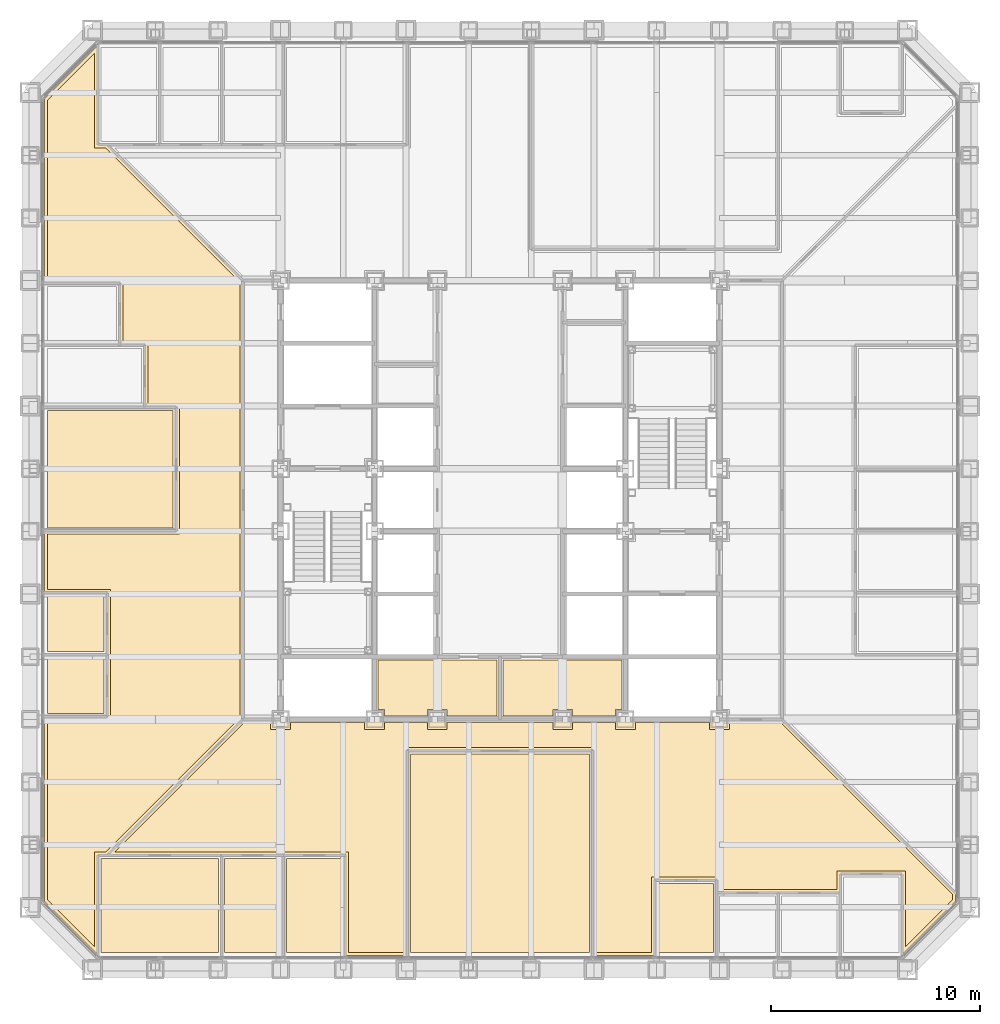
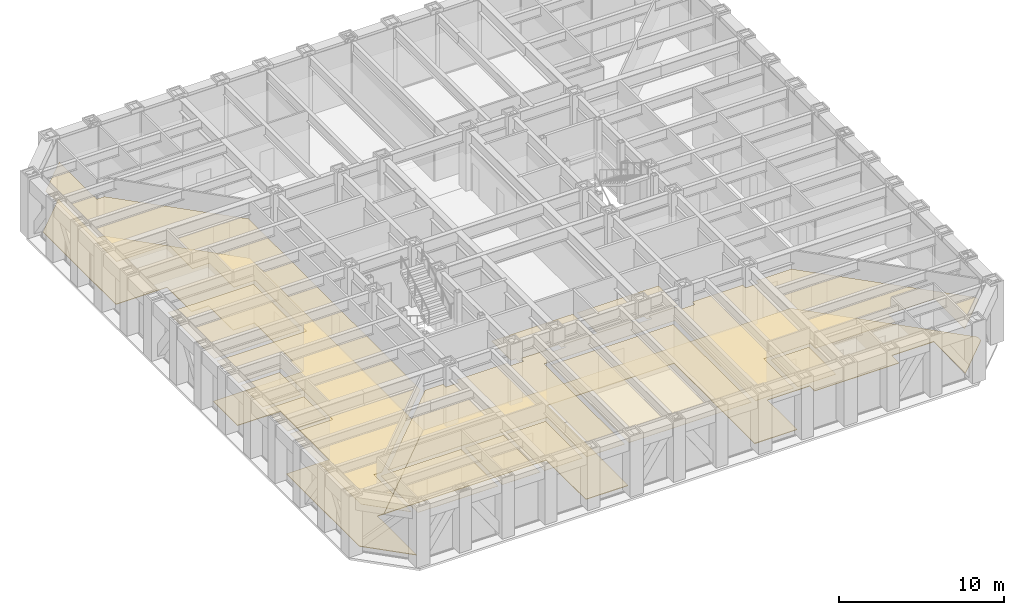
# One storey, part 14 of 17: 14 coverings.
"""IFC4 building model written with IfcOpenShell, lengths in metres."""

from ifc_helpers import new_model, si_unit, direction, frame, origin, place, context, subcontext, project, spatial, polyline, outline, extrude, material, layer, layer_set, type_object, element, save


model = new_model("IFC4")

# Units and contexts
model_context = context("Model", 3, precision=1e-05, world=origin(), true_north=direction((0.0, 1.0)))
body_context = subcontext(model_context, "Body", "Model", "MODEL_VIEW")
ifc_project = project(units=[si_unit("LENGTHUNIT", "METRE"), si_unit("AREAUNIT", "SQUARE_METRE"), si_unit("VOLUMEUNIT", "CUBIC_METRE"), si_unit("PLANEANGLEUNIT", "RADIAN"), si_unit("MASSUNIT", "GRAM", prefix="KILO")], contexts=[model_context])

# Site, building, storey
site_placement = place(None, origin())
site = spatial("IfcSite", under=ifc_project, at=site_placement, CompositionType="ELEMENT")
building_placement = place(site_placement, origin())
building = spatial("IfcBuilding", under=site, at=building_placement, Name="Chuquiago Exchange Tower", CompositionType="ELEMENT")
storey_placement = place(building_placement, frame((0.0, 0.0, 91.800048828125)))
storey = spatial("IfcBuildingStorey", under=building, at=storey_placement, Name="L19", CompositionType="ELEMENT", Elevation=91.800048828125)

# Coverings
ifc_material_1 = material(Name="Mineral fibre tile, 600 x 600, on pale metal grid", Category="mineral fibre")
ifc_layer_1 = layer(ifc_material_1, 0.02001953125)
ifc_layer_set_1 = layer_set([ifc_layer_1], Name="CL1 suspended tile ceiling 20")
covering_type_1 = type_object("IfcCoveringType", Name="CL1 suspended tile ceiling 20", PredefinedType="CEILING", material=ifc_layer_set_1)
covering_1_placement = place(storey_placement, frame((0.0, 0.0, 3.0)))
element("IfcCovering", 1, at=covering_1_placement, inside=storey, type_object=covering_type_1, Name="Ceiling Meeting room", PredefinedType="CEILING", context=body_context, shape_type="SweptSolid", body=[
    extrude(outline(polyline([(3.3984375, 5.35009765625), (9.022216796875, 5.35009765625), (9.022216796875, 0.85009765625), (3.3984375, 0.85009765625), (3.3984375, 5.35009765625)])), origin(), (0.0, 0.0, 1.0), 0.02001953125),
])
covering_2_placement = place(storey_placement, frame((0.0, 0.0, 3.0)))
element("IfcCovering", 2, at=covering_2_placement, inside=storey, type_object=covering_type_1, Name="Ceiling Office", PredefinedType="CEILING", context=body_context, shape_type="SweptSolid", body=[
    extrude(outline(polyline([(9.322021484375, 5.35009765625), (11.98388671875, 5.35009765625), (11.98388671875, 0.85009765625), (9.322021484375, 0.85009765625), (9.322021484375, 5.35009765625)])), origin(), (0.0, 0.0, 1.0), 0.02001953125),
])
covering_3_placement = place(storey_placement, frame((0.0, 0.0, 3.0)))
element("IfcCovering", 3, at=covering_3_placement, inside=storey, type_object=covering_type_1, Name="Ceiling Office", PredefinedType="CEILING", context=body_context, shape_type="SweptSolid", body=[
    extrude(outline(polyline([(12.28369140625, 5.35009765625), (14.945556640625, 5.35009765625), (14.945556640625, 0.85009765625), (12.28369140625, 0.85009765625), (12.28369140625, 5.35009765625)])), origin(), (0.0, 0.0, 1.0), 0.02001953125),
])
covering_4_placement = place(storey_placement, frame((0.0, 0.0, 3.0)))
element("IfcCovering", 4, at=covering_4_placement, inside=storey, type_object=covering_type_1, Name="Ceiling Trading room", PredefinedType="CEILING", context=body_context, shape_type="SweptSolid", body=[
    extrude(outline(polyline([(18.20751953125, 10.35009765625), (26.79248046875, 10.35009765625), (26.79248046875, 0.85009765625), (18.20751953125, 0.85009765625), (18.20751953125, 10.35009765625)])), origin(), (0.0, 0.0, 1.0), 0.02001953125),
])
covering_5_placement = place(storey_placement, frame((0.0, 0.0, 3.0)))
element("IfcCovering", 5, at=covering_5_placement, inside=storey, type_object=covering_type_1, Name="Ceiling Pantry", PredefinedType="CEILING", context=body_context, shape_type="SweptSolid", body=[
    extrude(outline(polyline([(30.054443359375, 4.14990234375), (32.71630859375, 4.14990234375), (32.71630859375, 0.85009765625), (30.054443359375, 0.85009765625), (30.054443359375, 4.14990234375)])), origin(), (0.0, 0.0, 1.0), 0.02001953125),
])
covering_6_placement = place(storey_placement, frame((0.0, 0.0, 3.0)))
element("IfcCovering", 6, at=covering_6_placement, inside=storey, type_object=covering_type_1, Name="Ceiling Focus room", PredefinedType="CEILING", context=body_context, shape_type="SweptSolid", body=[
    extrude(outline(polyline([(3.550048828125, 14.945556640625), (3.550048828125, 12.28369140625), (0.85009765625, 12.28369140625), (0.85009765625, 14.945556640625), (3.550048828125, 14.945556640625)])), origin(), (0.0, 0.0, 1.0), 0.02001953125),
])
covering_7_placement = place(storey_placement, frame((0.0, 0.0, 3.0)))
element("IfcCovering", 7, at=covering_7_placement, inside=storey, type_object=covering_type_1, Name="Ceiling Focus room", PredefinedType="CEILING", context=body_context, shape_type="SweptSolid", body=[
    extrude(outline(polyline([(3.550048828125, 17.907470703125), (3.550048828125, 15.24560546875), (0.85009765625, 15.24560546875), (0.85009765625, 17.907470703125), (3.550048828125, 17.907470703125)])), origin(), (0.0, 0.0, 1.0), 0.02001953125),
])
covering_8_placement = place(storey_placement, frame((0.0, 0.0, 3.0)))
element("IfcCovering", 8, at=covering_8_placement, inside=storey, type_object=covering_type_1, Name="Ceiling Risk management office", PredefinedType="CEILING", context=body_context, shape_type="SweptSolid", body=[
    extrude(outline(polyline([(6.85009765625, 26.79248046875), (6.85009765625, 21.169189453125), (0.85009765625, 21.169189453125), (0.85009765625, 26.79248046875), (6.85009765625, 26.79248046875)])), origin(), (0.0, 0.0, 1.0), 0.02001953125),
])
covering_9_placement = place(storey_placement, frame((0.0, 0.0, 3.0)))
element("IfcCovering", 9, at=covering_9_placement, inside=storey, type_object=covering_type_1, Name="Ceiling Trading floor south", PredefinedType="CEILING", context=body_context, shape_type="SweptSolid", body=[
    extrude(outline(polyline([(41.901611328125, 1.103515625), (41.901611328125, 4.75), (38.6396484375, 4.75), (38.6396484375, 3.85009765625), (33.01611328125, 3.85009765625), (33.01611328125, 4.449951171875), (29.75439453125, 4.449951171875), (29.75439453125, 0.85009765625), (27.092529296875, 0.85009765625), (27.092529296875, 10.64990234375), (17.907470703125, 10.64990234375), (17.907470703125, 0.85009765625), (15.24560546875, 0.85009765625), (15.24560546875, 5.64990234375), (4.062744140625, 5.64990234375), (10.2626953125, 11.85009765625), (11.52490234375, 11.85009765625), (11.52490234375, 11.52490234375), (12.47509765625, 11.52490234375), (12.47509765625, 11.85009765625), (16.02490234375, 11.85009765625), (16.02490234375, 11.52490234375), (16.97509765625, 11.52490234375), (16.97509765625, 11.85009765625), (19.02490234375, 11.85009765625), (19.02490234375, 11.52490234375), (19.97509765625, 11.52490234375), (19.97509765625, 11.85009765625), (25.02490234375, 11.85009765625), (25.02490234375, 11.52490234375), (25.97509765625, 11.52490234375), (25.97509765625, 11.85009765625), (28.02490234375, 11.85009765625), (28.02490234375, 11.52490234375), (28.97509765625, 11.52490234375), (28.97509765625, 11.85009765625), (32.52490234375, 11.85009765625), (32.52490234375, 11.52490234375), (33.47509765625, 11.52490234375), (33.47509765625, 11.85009765625), (35.9375, 11.85009765625), (44.14990234375, 3.63720703125), (44.14990234375, 3.35205078125), (41.901611328125, 1.103515625)])), origin(), (0.0, 0.0, 1.0), 0.02001953125),
])
covering_10_placement = place(storey_placement, frame((0.0, 0.0, 3.0)))
element("IfcCovering", 10, at=covering_10_placement, inside=storey, type_object=covering_type_1, Name="Ceiling Trading floor west", PredefinedType="CEILING", context=body_context, shape_type="SweptSolid", body=[
    extrude(outline(polyline([(3.098388671875, 39.35009765625), (3.63720703125, 39.35009765625), (10.050048828125, 32.9375), (10.050048828125, 12.0625), (3.63720703125, 5.64990234375), (3.098388671875, 5.64990234375), (3.098388671875, 1.103515625), (0.85009765625, 3.35205078125), (0.85009765625, 11.98388671875), (3.85009765625, 11.98388671875), (3.85009765625, 18.20751953125), (0.85009765625, 18.20751953125), (0.85009765625, 20.869140625), (7.14990234375, 20.869140625), (7.14990234375, 27.092529296875), (5.64990234375, 27.092529296875), (5.64990234375, 30.054443359375), (4.449951171875, 30.054443359375), (4.449951171875, 33.01611328125), (0.85009765625, 33.01611328125), (0.85009765625, 41.64794921875), (3.098388671875, 43.896484375), (3.098388671875, 39.35009765625)])), origin(), (0.0, 0.0, 1.0), 0.02001953125),
])
ifc_material_2 = material(Name="Moisture resistant plasterboard on metal frame", Category="gypsum")
ifc_layer_2 = layer(ifc_material_2, 0.014892578125)
ifc_layer_set_2 = layer_set([ifc_layer_2], Name="CL2 moisture resistant ceiling 15")
covering_type_2 = type_object("IfcCoveringType", Name="CL2 moisture resistant ceiling 15", PredefinedType="CEILING", material=ifc_layer_set_2)
covering_11_placement = place(storey_placement, frame((0.0, 0.0, 2.599853515625)))
element("IfcCovering", 11, at=covering_11_placement, inside=storey, type_object=covering_type_2, Name="Ceiling Accessible WC", PredefinedType="CEILING", context=body_context, shape_type="SweptSolid", body=[
    extrude(outline(polyline([(25.97509765625, 12.14990234375), (25.97509765625, 12.47509765625), (25.02490234375, 12.47509765625), (25.02490234375, 12.14990234375), (22.64990234375, 12.14990234375), (22.64990234375, 14.85009765625), (28.35009765625, 14.85009765625), (28.35009765625, 12.47509765625), (28.02490234375, 12.47509765625), (28.02490234375, 12.14990234375), (25.97509765625, 12.14990234375)])), origin(), (0.0, 0.0, 1.0), 0.01513671875),
])
covering_12_placement = place(storey_placement, frame((0.0, 0.0, 2.599853515625)))
element("IfcCovering", 12, at=covering_12_placement, inside=storey, type_object=covering_type_2, Name="Ceiling Cleaner", PredefinedType="CEILING", context=body_context, shape_type="SweptSolid", body=[
    extrude(outline(polyline([(19.97509765625, 12.14990234375), (19.97509765625, 12.47509765625), (19.02490234375, 12.47509765625), (19.02490234375, 12.14990234375), (16.97509765625, 12.14990234375), (16.97509765625, 12.47509765625), (16.64990234375, 12.47509765625), (16.64990234375, 14.85009765625), (22.35009765625, 14.85009765625), (22.35009765625, 12.14990234375), (19.97509765625, 12.14990234375)])), origin(), (0.0, 0.0, 1.0), 0.01513671875),
])
ifc_material_3 = material(Name="Steel raised floor panel", Category="steel")
ifc_layer_3 = layer(ifc_material_3, 0.0400390625)
ifc_layer_set_3 = layer_set([ifc_layer_3], Name="RF1 raised access floor 40")
covering_type_3 = type_object("IfcCoveringType", Name="RF1 raised access floor 40", PredefinedType="FLOORING", material=ifc_layer_set_3)
covering_13_placement = place(storey_placement, frame((0.0, 0.0, -0.0400390625)))
element("IfcCovering", 13, at=covering_13_placement, inside=storey, type_object=covering_type_3, Name="Raised access floor Trading floor south", PredefinedType="FLOORING", context=body_context, shape_type="SweptSolid", body=[
    extrude(outline(polyline([(44.300048828125, 3.289794921875), (41.75146484375, 0.741455078125), (41.75146484375, 4.60009765625), (38.789794921875, 4.60009765625), (38.789794921875, 3.699951171875), (32.8662109375, 3.699951171875), (32.8662109375, 4.300048828125), (29.904296875, 4.300048828125), (29.904296875, 0.699951171875), (26.942626953125, 0.699951171875), (26.942626953125, 10.5), (18.057373046875, 10.5), (18.057373046875, 0.699951171875), (15.095703125, 0.699951171875), (15.095703125, 5.5), (3.70068359375, 5.5), (10.200439453125, 12.0), (35.99951171875, 12.0), (44.300048828125, 3.69921875), (44.300048828125, 3.289794921875)])), origin(), (0.0, 0.0, 1.0), 0.0400390625),
])
covering_14_placement = place(storey_placement, frame((0.0, 0.0, -0.0400390625)))
element("IfcCovering", 14, at=covering_14_placement, inside=storey, type_object=covering_type_3, Name="Raised access floor Trading floor west", PredefinedType="FLOORING", context=body_context, shape_type="SweptSolid", body=[
    extrude(outline(polyline([(3.699951171875, 12.1337890625), (3.699951171875, 18.057373046875), (0.699951171875, 18.057373046875), (0.699951171875, 21.01904296875), (7.0, 21.01904296875), (7.0, 26.942626953125), (5.5, 26.942626953125), (5.5, 29.904296875), (4.300048828125, 29.904296875), (4.300048828125, 32.8662109375), (0.699951171875, 32.8662109375), (0.699951171875, 41.710205078125), (3.289794921875, 44.300048828125), (3.24853515625, 44.258544921875), (3.24853515625, 39.5), (3.69921875, 39.5), (10.199951171875, 32.99951171875), (10.199951171875, 12.00048828125), (3.69921875, 5.5), (3.24853515625, 5.5), (3.24853515625, 0.741455078125), (0.699951171875, 3.289794921875), (0.699951171875, 12.1337890625), (3.699951171875, 12.1337890625)])), origin(), (0.0, 0.0, 1.0), 0.0400390625),
])

save(model, "model.ifc")
